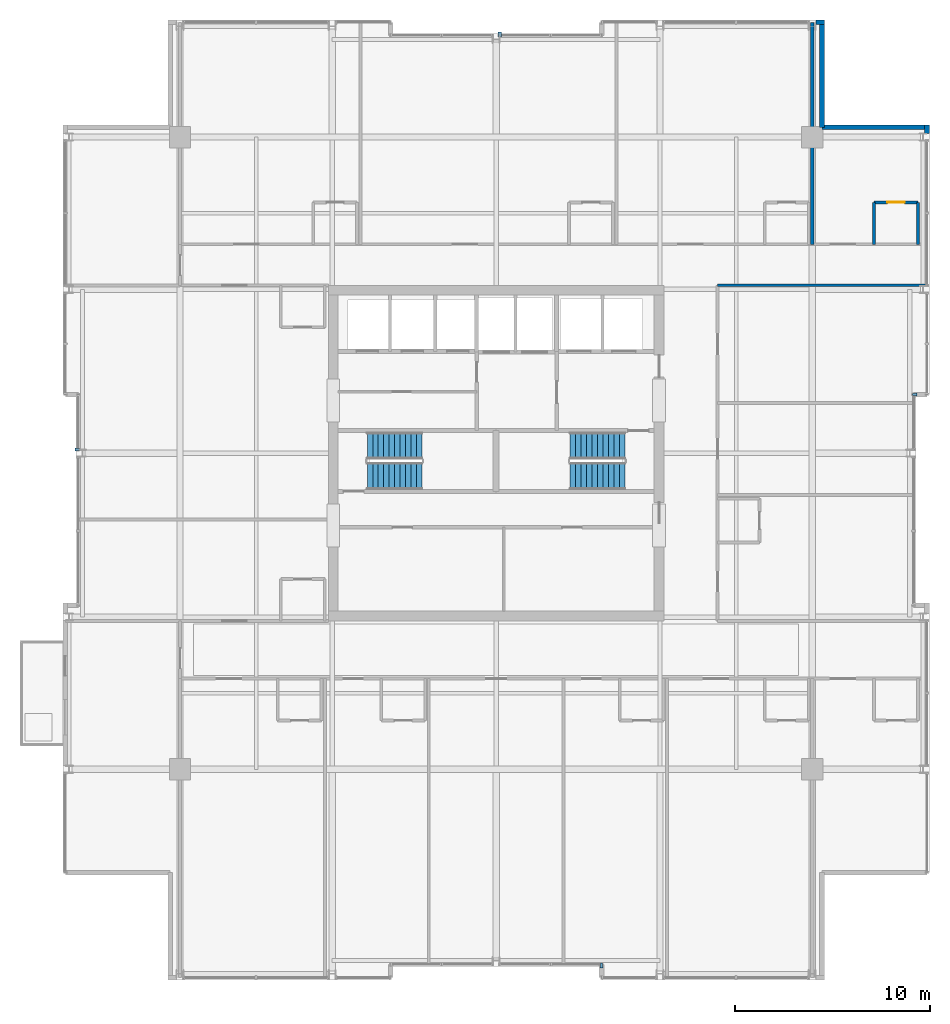
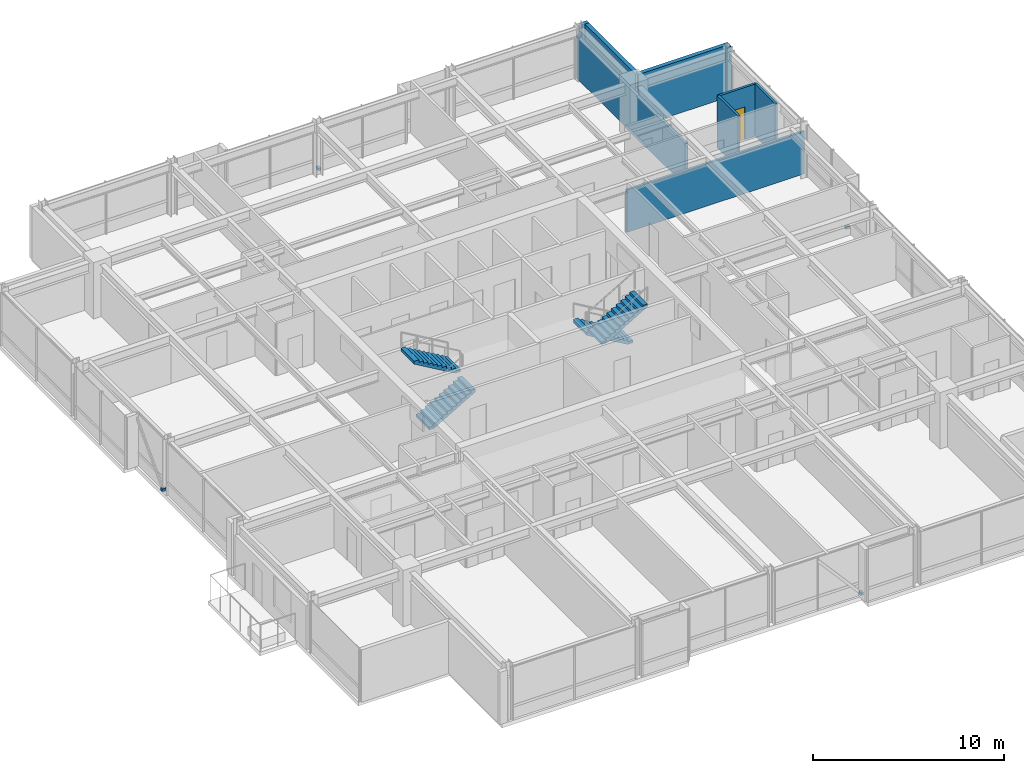
# One storey, part 29 of 32: 9 walls, 4 discrete accessories, 4 stair flights, 1 door, 1 opening, 2 elements without a shape of their own.
"""IFC4 building model written with IfcOpenShell, lengths in metres."""

from ifc_helpers import new_model, si_unit, direction, frame, frame_2d, origin, origin_2d, place, context, subcontext, project, spatial, polyline, rectangle, outline, extrude, material, layer, layer_set, type_object, element, fill, aggregate, save


model = new_model("IFC4")

# Units and contexts
model_context = context("Model", 3, precision=1e-05, world=origin(), true_north=direction((0.0, 1.0)))
body_context = subcontext(model_context, "Body", "Model", "MODEL_VIEW")
ifc_project = project(units=[si_unit("LENGTHUNIT", "METRE"), si_unit("AREAUNIT", "SQUARE_METRE"), si_unit("VOLUMEUNIT", "CUBIC_METRE"), si_unit("PLANEANGLEUNIT", "RADIAN"), si_unit("MASSUNIT", "GRAM", prefix="KILO")], contexts=[model_context])

# Site, building, storey
site_placement = place(None, origin())
site = spatial("IfcSite", under=ifc_project, at=site_placement, CompositionType="ELEMENT")
building_placement = place(site_placement, origin())
building = spatial("IfcBuilding", under=site, at=building_placement, Name="Drelvath Grand Hotel", CompositionType="ELEMENT")
storey_placement = place(building_placement, frame((0.0, 0.0, 233.89990234375)))
storey = spatial("IfcBuildingStorey", under=building, at=storey_placement, Name="L61", CompositionType="ELEMENT", Elevation=233.89990234375)

# Walls
ifc_material_1 = material(Name="Gypsum Fireboard Partition")
ifc_layer_1 = layer(ifc_material_1, 0.135009765625)
ifc_layer_set_1 = layer_set([ifc_layer_1], Name="Gypsum Fireboard Partition")
wall_type_1 = type_object("IfcWallType", Name="Corridor Fire Barrier Wall 135", PredefinedType="PARTITIONING", material=ifc_layer_set_1)
wall_1_placement = place(storey_placement, frame((11.35009765625, 35.60009765625, 0.0), z_axis=(0.0, 0.0, 1.0), x_axis=(1.0, 0.0, 0.0)))
element("IfcWall", 1, at=wall_1_placement, inside=storey, type_object=wall_type_1, Name="L61 North Gallery Inner East Wall", PredefinedType="PARTITIONING", context=body_context, shape_type="SweptSolid", body=[
    extrude(rectangle(XDim=10.72998046875, YDim=0.135009765625, at=frame_2d((5.364990234375, 0.0))), origin(), (0.0, 0.0, 1.0), 2.717529296875),
])
ifc_material_2 = material(Name="Moisture-Resistant Gypsum Board")
ifc_layer_2 = layer(ifc_material_2, 0.139892578125)
ifc_layer_set_2 = layer_set([ifc_layer_2], Name="Moisture-Resistant Gypsum Board")
wall_type_2 = type_object("IfcWallType", Name="En-Suite Plumbing Wall 140", PredefinedType="PLUMBINGWALL", material=ifc_layer_set_2)
for number, where, z_axis, x_axis, name in (
    (2, (19.3701171875, 37.699951171875, 0.0), (0.0, 0.0, 1.0), (0.0, 1.0, 0.0), "L61 En-Suite Left Wall"),
    (3, (21.6201171875, 37.699951171875, 0.0), (0.0, 0.0, 1.0), (0.0, 1.0, 0.0), "L61 En-Suite Right Wall"),
):
    element("IfcWall", number, at=place(storey_placement, frame(where, z_axis=z_axis, x_axis=x_axis)), inside=storey, type_object=wall_type_2, Name=name, PredefinedType="PLUMBINGWALL", context=body_context, shape_type="SweptSolid", body=[
        extrude(rectangle(XDim=2.150146484375, YDim=0.139892578125, at=frame_2d((1.0751953125, 0.0))), origin(), (0.0, 0.0, 1.0), 3.340087890625),
    ])

# Wall, opening, door
wall_2_placement = place(storey_placement, frame((19.3701171875, 39.85009765625, 0.0), z_axis=(0.0, 0.0, 1.0), x_axis=(1.0, 0.0, 0.0)))
wall_2 = element("IfcWall", 4, at=wall_2_placement, inside=storey, type_object=wall_type_2, Name="L61 En-Suite Front Wall", PredefinedType="PLUMBINGWALL", context=body_context, shape_type="SweptSolid", body=[
    extrude(rectangle(XDim=2.25, YDim=0.139892578125, at=frame_2d((1.125, 0.0))), origin(), (0.0, 0.0, 1.0), 3.340087890625),
])
opening_placement = place(wall_2_placement, frame((0.68505859375, 0.0, 0.0)))
opening = element("IfcOpeningElement", 5, at=opening_placement, cuts=wall_2, Name="Opening D-T4G3-021", PredefinedType="OPENING", context=body_context, shape_type="SweptSolid", body=[
    extrude(rectangle(XDim=0.8798828125, YDim=2.10009765625, at=frame_2d((0.43994140625, 1.050048828125))), frame((0.0, 0.079833984375, 0.0), z_axis=(0.0, -1.0, 0.0), x_axis=(1.0, 0.0, 0.0)), (0.0, 0.0, 1.0), 0.159912109375),
])
ifc_material_3 = material(Name="Hardwood Walnut Timber", Category="wood")
door_type = type_object("IfcDoorType", Name="En-Suite Bathroom Door 880x2100", OperationType="NOTDEFINED", PredefinedType="DOOR", material=ifc_material_3)
door_placement = place(opening_placement, origin())
door = element("IfcDoor", 6, at=door_placement, inside=storey, type_object=door_type, Name="L61 En-Suite Bathroom Door", OperationType="SINGLE_SWING_RIGHT", OverallHeight=2.10009765625, OverallWidth=0.8798828125, PredefinedType="DOOR", context=body_context, shape_type="SweptSolid", body=[
    extrude(rectangle(XDim=0.8798828125, YDim=2.10009765625, at=frame_2d((0.43994140625, 1.050048828125))), frame((0.0, 0.02490234375, 0.0), z_axis=(0.0, -1.0, 0.0), x_axis=(1.0, 0.0, 0.0)), (0.0, 0.0, 1.0), 0.050048828125),
])
fill(opening, door)

# Walls
ifc_material_4 = material(Name="Gypsum Acoustic Partition")
ifc_layer_3 = layer(ifc_material_4, 0.1650390625)
ifc_layer_set_3 = layer_set([ifc_layer_3], Name="Gypsum Acoustic Partition")
wall_type_3 = type_object("IfcWallType", Name="Suite Demising Wall 165", PredefinedType="PARTITIONING", material=ifc_layer_set_3)
wall_3_placement = place(storey_placement, frame((16.199951171875, 37.699951171875, 0.0), z_axis=(0.0, 0.0, 1.0), x_axis=(0.0, 1.0, 0.0)))
element("IfcWall", 7, at=wall_3_placement, inside=storey, type_object=wall_type_3, Name="L61 NE Suite Wall", PredefinedType="PARTITIONING", context=body_context, shape_type="SweptSolid", body=[
    extrude(rectangle(XDim=11.380126953125, YDim=0.1650390625, at=frame_2d((5.68994140625, 0.0))), origin(), (0.0, 0.0, 1.0), 2.7138671875),
])
ifc_material_5 = material(Name="Pale-Metal Insulated Aluminium Spandrel Assembly", Category="aluminium")
ifc_layer_4 = layer(ifc_material_5, 0.239990234375)
ifc_layer_set_4 = layer_set([ifc_layer_4], Name="Pale-Metal Insulated Aluminium Spandrel Assembly")
wall_type_4 = type_object("IfcWallType", Name="Tower Insulated Metal Spandrel Closure Wall 240", PredefinedType="STANDARD", material=ifc_layer_set_4)
for number, where, z_axis, x_axis, name in (
    (8, (22.080078125, 43.820068359375, 0.0), (0.0, 0.0, 1.0), (0.0, -1.0, 0.0), "L61 Corner Pier Spandrel Wall EN3"),
    (9, (16.38525390625, 49.080078125, 0.0), (0.0, 0.0, 1.0), (1.0, 0.0, 0.0), "L61 Corner Pier Spandrel Wall NE3"),
):
    element("IfcWall", number, at=place(storey_placement, frame(where, z_axis=z_axis, x_axis=x_axis)), inside=storey, type_object=wall_type_4, Name=name, PredefinedType="STANDARD", context=body_context, shape_type="SweptSolid", body=[
        extrude(rectangle(XDim=0.434814453125, YDim=0.239990234375, at=frame_2d((0.21728515625, 0.0))), origin(), (0.0, 0.0, 1.0), 3.340087890625),
    ])
for number, where, z_axis, x_axis, name in (
    (10, (16.699951171875, 48.9599609375, 0.0), (0.0, 0.0, 1.0), (0.0, -1.0, 0.0), "L61 Notched Corner Return Spandrel Wall CNE1"),
    (11, (16.699951171875, 43.699951171875, 0.0), (0.0, 0.0, 1.0), (1.0, 0.0, 0.0), "L61 Notched Corner Return Spandrel Wall CNE2"),
):
    element("IfcWall", number, at=place(storey_placement, frame(where, z_axis=z_axis, x_axis=x_axis)), inside=storey, type_object=wall_type_4, Name=name, PredefinedType="STANDARD", context=body_context, shape_type="SweptSolid", body=[
        extrude(rectangle(XDim=5.260009765625, YDim=0.239990234375, at=frame_2d((2.6298828125, 0.0))), origin(), (0.0, 0.0, 1.0), 3.340087890625),
    ])

# Stair, stair flights
ifc_material_6 = material(Name="Concrete C40/50", Category="concrete")
stair_type = type_object("IfcStairType", Name="Dogleg Exit Stair W1400-R163.6", PredefinedType="HALF_TURN_STAIR", material=ifc_material_6)
stair_1_placement = place(storey_placement, origin())
stair_1 = element("IfcStair", 12, at=stair_1_placement, inside=storey, type_object=stair_type, Name="L61 Core Exit Stair ST-1", PredefinedType="HALF_TURN_STAIR")
stair_flight_type = type_object("IfcStairFlightType", Name="Concrete Stair Flight W1400-R163.6", PredefinedType="STRAIGHT", material=ifc_material_6)
stair_flight_1_placement = place(storey_placement, frame((-6.60009765625, 25.820068359375, 0.0), z_axis=(0.0, 0.0, 1.0), x_axis=(1.0, 0.0, 0.0)))
stair_flight_1 = element("IfcStairFlight", 13, at=stair_flight_1_placement, type_object=stair_flight_type, Name="ST-1 flight 1", NumberOfRisers=11, NumberOfTreads=10, PredefinedType="STRAIGHT", RiserHeight=0.163636364, TreadLength=0.28, context=body_context, shape_type="SweptSolid", body=[
    extrude(outline(polyline([(0.0, 0.0), (0.0, 0.16357421875), (0.280029296875, 0.16357421875), (0.280029296875, 0.327392578125), (0.56005859375, 0.327392578125), (0.56005859375, 0.490966796875), (0.840087890625, 0.490966796875), (0.840087890625, 0.654541015625), (1.1201171875, 0.654541015625), (1.1201171875, 0.818115234375), (1.39990234375, 0.818115234375), (1.39990234375, 0.98193359375), (1.679931640625, 0.98193359375), (1.679931640625, 1.1455078125), (1.9599609375, 1.1455078125), (1.9599609375, 1.30908203125), (2.239990234375, 1.30908203125), (2.239990234375, 1.47265625), (2.52001953125, 1.47265625), (2.52001953125, 1.636474609375), (2.800048828125, 1.636474609375), (2.800048828125, 1.800048828125), (2.800048828125, 1.451171875), (0.31689453125, 0.0), (0.0, 0.0)])), frame((0.0, 0.699951171875, 0.0), z_axis=(0.0, -1.0, 0.0), x_axis=(1.0, 0.0, 0.0)), (0.0, 0.0, 1.0), 1.39990234375),
])
stair_flight_2_placement = place(storey_placement, frame((-3.800048828125, 27.3798828125, 1.800048828125), z_axis=(0.0, 0.0, 1.0), x_axis=(-1.0, 0.0, 0.0)))
stair_flight_2 = element("IfcStairFlight", 14, at=stair_flight_2_placement, type_object=stair_flight_type, Name="ST-1 flight 2", NumberOfRisers=11, NumberOfTreads=10, PredefinedType="STRAIGHT", RiserHeight=0.163636364, TreadLength=0.28, context=body_context, shape_type="SweptSolid", body=[
    extrude(outline(polyline([(0.0, 0.0), (0.0, 0.16357421875), (0.280029296875, 0.16357421875), (0.280029296875, 0.327392578125), (0.56005859375, 0.327392578125), (0.56005859375, 0.490966796875), (0.840087890625, 0.490966796875), (0.840087890625, 0.654541015625), (1.1201171875, 0.654541015625), (1.1201171875, 0.818115234375), (1.39990234375, 0.818115234375), (1.39990234375, 0.98193359375), (1.679931640625, 0.98193359375), (1.679931640625, 1.1455078125), (1.9599609375, 1.1455078125), (1.9599609375, 1.30908203125), (2.239990234375, 1.30908203125), (2.239990234375, 1.47265625), (2.52001953125, 1.47265625), (2.52001953125, 1.636474609375), (2.800048828125, 1.636474609375), (2.800048828125, 1.800048828125), (2.800048828125, 1.451171875), (0.31689453125, 0.0), (0.0, 0.0)])), frame((0.0, 0.699951171875, 0.0), z_axis=(0.0, -1.0, 0.0), x_axis=(1.0, 0.0, 0.0)), (0.0, 0.0, 1.0), 1.39990234375),
])
aggregate(stair_1, [stair_flight_1, stair_flight_2])

stair_2_placement = place(storey_placement, origin())
stair_2 = element("IfcStair", 15, at=stair_2_placement, inside=storey, type_object=stair_type, Name="L61 Core Exit Stair ST-2", PredefinedType="HALF_TURN_STAIR")
stair_flight_3_placement = place(storey_placement, frame((6.60009765625, 27.3798828125, 0.0), z_axis=(0.0, 0.0, 1.0), x_axis=(-1.0, 0.0, 0.0)))
stair_flight_3 = element("IfcStairFlight", 16, at=stair_flight_3_placement, type_object=stair_flight_type, Name="ST-2 flight 1", NumberOfRisers=11, NumberOfTreads=10, PredefinedType="STRAIGHT", RiserHeight=0.163636364, TreadLength=0.28, context=body_context, shape_type="SweptSolid", body=[
    extrude(outline(polyline([(0.0, 0.0), (0.0, 0.16357421875), (0.280029296875, 0.16357421875), (0.280029296875, 0.327392578125), (0.56005859375, 0.327392578125), (0.56005859375, 0.490966796875), (0.840087890625, 0.490966796875), (0.840087890625, 0.654541015625), (1.1201171875, 0.654541015625), (1.1201171875, 0.818115234375), (1.39990234375, 0.818115234375), (1.39990234375, 0.98193359375), (1.679931640625, 0.98193359375), (1.679931640625, 1.1455078125), (1.9599609375, 1.1455078125), (1.9599609375, 1.30908203125), (2.239990234375, 1.30908203125), (2.239990234375, 1.47265625), (2.52001953125, 1.47265625), (2.52001953125, 1.636474609375), (2.800048828125, 1.636474609375), (2.800048828125, 1.800048828125), (2.800048828125, 1.451171875), (0.31689453125, 0.0), (0.0, 0.0)])), frame((0.0, 0.699951171875, 0.0), z_axis=(0.0, -1.0, 0.0), x_axis=(1.0, 0.0, 0.0)), (0.0, 0.0, 1.0), 1.39990234375),
])
stair_flight_4_placement = place(storey_placement, frame((3.800048828125, 25.820068359375, 1.800048828125), z_axis=(0.0, 0.0, 1.0), x_axis=(1.0, 0.0, 0.0)))
stair_flight_4 = element("IfcStairFlight", 17, at=stair_flight_4_placement, type_object=stair_flight_type, Name="ST-2 flight 2", NumberOfRisers=11, NumberOfTreads=10, PredefinedType="STRAIGHT", RiserHeight=0.163636364, TreadLength=0.28, context=body_context, shape_type="SweptSolid", body=[
    extrude(outline(polyline([(0.0, 0.0), (0.0, 0.16357421875), (0.280029296875, 0.16357421875), (0.280029296875, 0.327392578125), (0.56005859375, 0.327392578125), (0.56005859375, 0.490966796875), (0.840087890625, 0.490966796875), (0.840087890625, 0.654541015625), (1.1201171875, 0.654541015625), (1.1201171875, 0.818115234375), (1.39990234375, 0.818115234375), (1.39990234375, 0.98193359375), (1.679931640625, 0.98193359375), (1.679931640625, 1.1455078125), (1.9599609375, 1.1455078125), (1.9599609375, 1.30908203125), (2.239990234375, 1.30908203125), (2.239990234375, 1.47265625), (2.52001953125, 1.47265625), (2.52001953125, 1.636474609375), (2.800048828125, 1.636474609375), (2.800048828125, 1.800048828125), (2.800048828125, 1.451171875), (0.31689453125, 0.0), (0.0, 0.0)])), frame((0.0, 0.699951171875, 0.0), z_axis=(0.0, -1.0, 0.0), x_axis=(1.0, 0.0, 0.0)), (0.0, 0.0, 1.0), 1.39990234375),
])
aggregate(stair_2, [stair_flight_3, stair_flight_4])

# Discrete accessories
ifc_material_7 = material(Name="Stainless Steel Grade 316", Category="steel")
discrete_accessory_type = type_object("IfcDiscreteAccessoryType", Name="Curtain Wall Fin Mounting Bracket Cleat", PredefinedType="BRACKET", material=ifc_material_7)
for number, where, z_axis, x_axis, name in (
    (18, (-21.4599609375, 27.185302734375, 0.10009765625), (0.0, 0.0, 1.0), (0.0, 1.0, 0.0), "L61 Fin Mounting Bracket CW05-L61-WM2-1"),
    (19, (21.4599609375, 30.0, 0.10009765625), (0.0, 0.0, 1.0), (0.0, -1.0, 0.0), "L61 Fin Mounting Bracket CW05-L61-EM2-1"),
    (20, (0.185302734375, 48.4599609375, 0.10009765625), (0.0, 0.0, 1.0), (1.0, 0.0, 0.0), "L61 Fin Mounting Bracket CW05-L61-NM2-1"),
    (21, (5.39990234375, 0.739990234375, 0.10009765625), (0.0, 0.0, 1.0), (-1.0, 0.0, 0.0), "L61 Fin Mounting Bracket CW05-L61-SM2-1"),
):
    element("IfcDiscreteAccessory", number, at=place(storey_placement, frame(where, z_axis=z_axis, x_axis=x_axis)), inside=storey, type_object=discrete_accessory_type, Name=name, PredefinedType="BRACKET", context=body_context, shape_type="SweptSolid", body=[
        extrude(rectangle(XDim=0.159912109375, YDim=0.239990234375, at=origin_2d()), origin(), (0.0, 0.0, 1.0), 0.159912109375),
    ])

save(model, "model.ifc")
